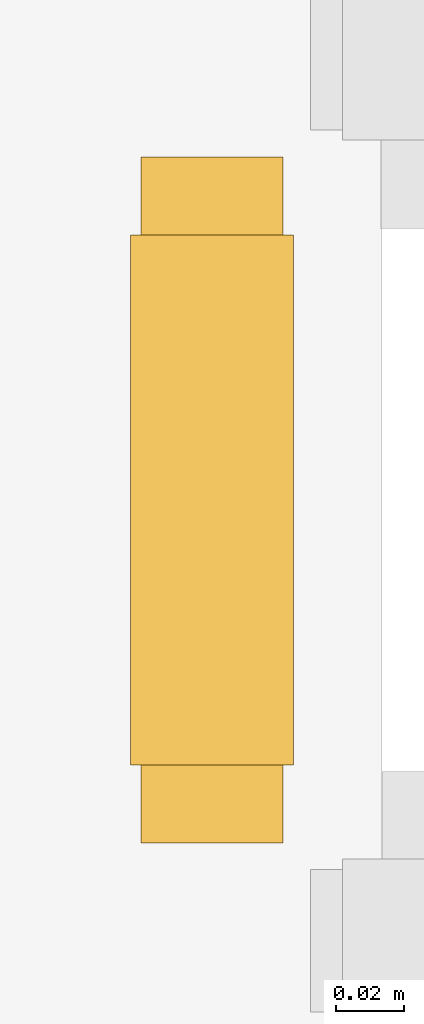
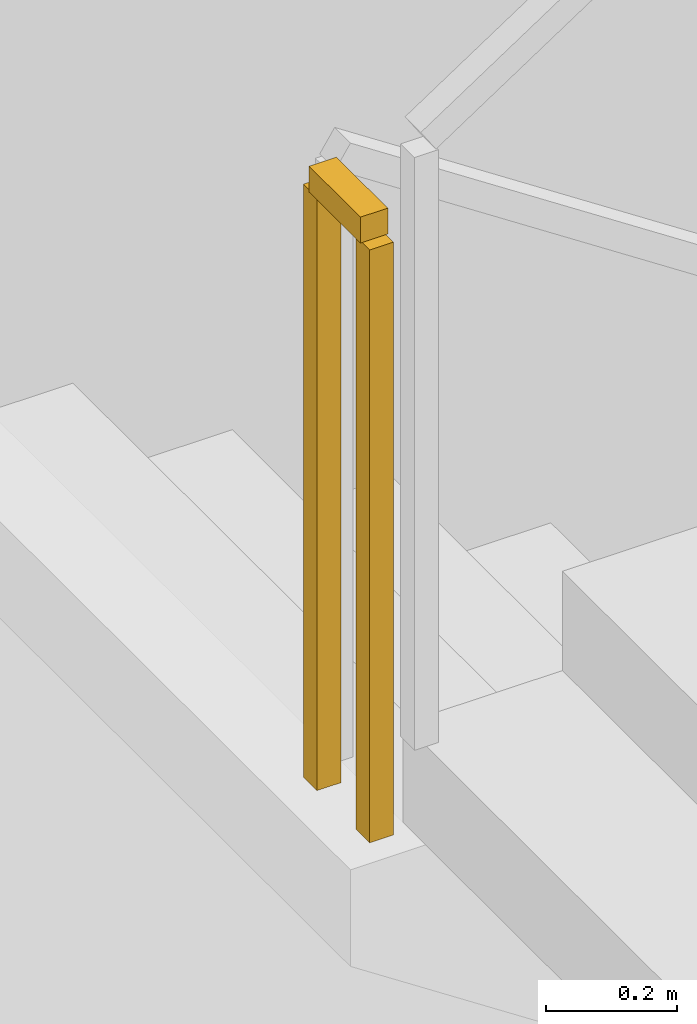
# One storey, part 11 of 16: 1 railing.
"""IFC4 building model written with IfcOpenShell, lengths in metres."""

from ifc_helpers import new_model, si_unit, direction, frame, origin, origin_2d, place, context, subcontext, project, spatial, rectangle, extrude, material, type_object, element, save


model = new_model("IFC4")

# Units and contexts
model_context = context("Model", 3, precision=1e-05, world=origin(), true_north=direction((0.0, 1.0)))
body_context = subcontext(model_context, "Body", "Model", "MODEL_VIEW")
ifc_project = project(units=[si_unit("LENGTHUNIT", "METRE"), si_unit("AREAUNIT", "SQUARE_METRE"), si_unit("VOLUMEUNIT", "CUBIC_METRE"), si_unit("PLANEANGLEUNIT", "RADIAN"), si_unit("MASSUNIT", "GRAM", prefix="KILO")], contexts=[model_context])

# Site, building, storey
site_placement = place(None, origin())
site = spatial("IfcSite", under=ifc_project, at=site_placement, CompositionType="ELEMENT")
building_placement = place(site_placement, origin())
building = spatial("IfcBuilding", under=site, at=building_placement, Name="Zarnavel Station Tower", CompositionType="ELEMENT")
storey_placement = place(building_placement, frame((0.0, 0.0, 19.39990234375)))
storey = spatial("IfcBuildingStorey", under=building, at=storey_placement, Name="L05", CompositionType="ELEMENT", Elevation=19.39990234375)

# Railing
ifc_material = material(Name="Painted Steel S355J2 Balustrade", Category="steel")
railing_type = type_object("IfcRailingType", Name="GR_INT_1150", PredefinedType="GUARDRAIL", material=ifc_material)
railing_placement = place(storey_placement, frame((16.070068359375, 35.320068359375, 2.400146484375)))
element("IfcRailing", 1, at=railing_placement, inside=storey, type_object=railing_type, Name="L05 ST1 stair guard 2", PredefinedType="GUARDRAIL", context=body_context, shape_type="SweptSolid", body=[
    extrude(rectangle(XDim=0.048095703125, YDim=0.048095703125, at=origin_2d()), frame((0.0, -0.001953125, 1.1259765625), z_axis=(0.0, -1.0, 0.0), x_axis=(1.0, 0.0, 0.0)), (0.0, 0.0, 1.0), 0.15625),
    extrude(rectangle(XDim=0.0419921875, YDim=0.0419921875, at=origin_2d()), origin(), (0.0, 0.0, 1.0), 1.101806640625),
    extrude(rectangle(XDim=0.0419921875, YDim=0.0419921875, at=origin_2d()), frame((0.0, -0.16015625, 0.0)), (0.0, 0.0, 1.0), 1.101806640625),
])

save(model, "model.ifc")
